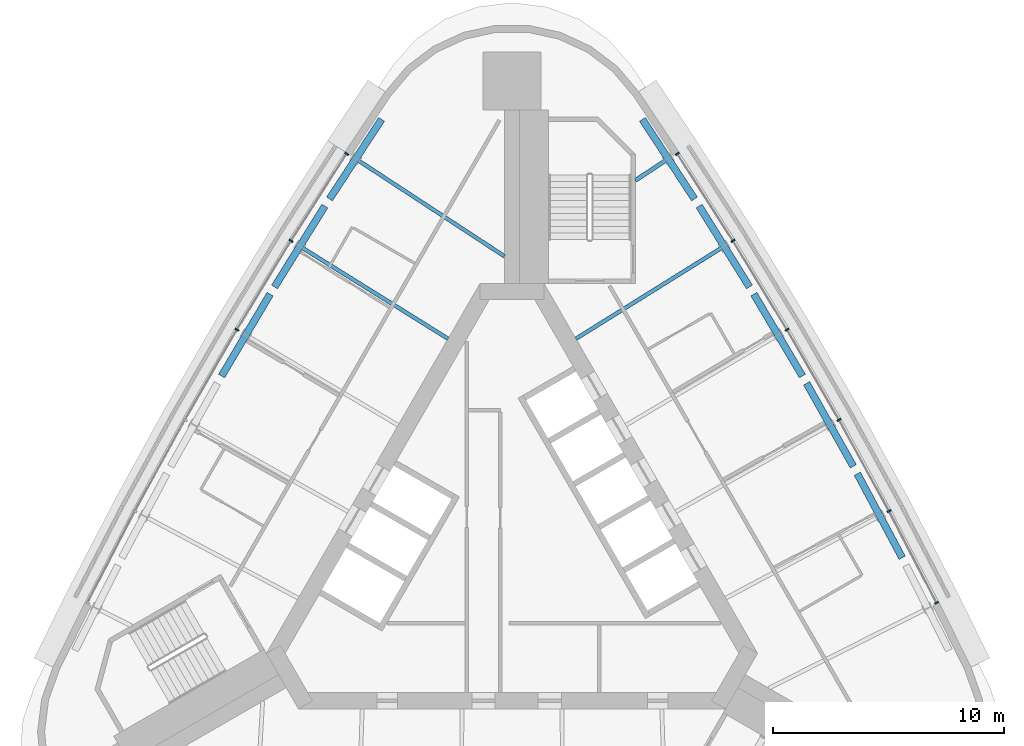
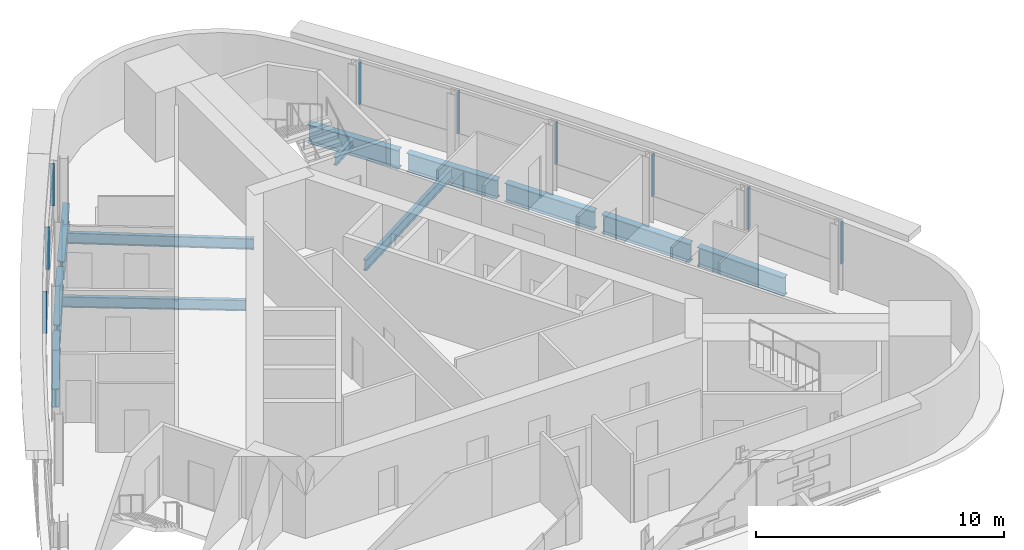
# One storey, part 4 of 9: 12 beams, 9 members, 2 elements without a shape of their own.
"""IFC4 building model written with IfcOpenShell, lengths in metres."""

from ifc_helpers import new_model, si_unit, direction, frame, origin, origin_2d, place, context, subcontext, project, spatial, rectangle, i_section, extrude, material, material_profile, profile_set, type_object, element, aggregate, save


model = new_model("IFC4")

# Units and contexts
model_context = context("Model", 3, precision=1e-05, world=origin(), true_north=direction((0.0, 1.0)))
body_context = subcontext(model_context, "Body", "Model", "MODEL_VIEW")
ifc_project = project(units=[si_unit("LENGTHUNIT", "METRE"), si_unit("AREAUNIT", "SQUARE_METRE"), si_unit("VOLUMEUNIT", "CUBIC_METRE"), si_unit("PLANEANGLEUNIT", "RADIAN"), si_unit("MASSUNIT", "GRAM", prefix="KILO")], contexts=[model_context])

# Site, building, storey
site_placement = place(None, origin())
site = spatial("IfcSite", under=ifc_project, at=site_placement, CompositionType="ELEMENT")
building_placement = place(site_placement, origin())
building = spatial("IfcBuilding", under=site, at=building_placement, Name="Noor Cloister Tower", CompositionType="ELEMENT")
storey_placement = place(building_placement, frame((0.0, 0.0, 229.199951171875)))
storey = spatial("IfcBuildingStorey", under=building, at=storey_placement, Name="L59", CompositionType="ELEMENT", Elevation=229.199951171875)

# Curtain wall, members
ifc_material_1 = material(Name="Aluminium 6063-T6 anodised", Category="aluminium")
curtain_wall_type = type_object("IfcCurtainWallType", Name="Ribbon curtain wall, upper tower CW5", PredefinedType="NOTDEFINED", material=ifc_material_1)
curtain_wall_1_placement = place(storey_placement, origin())
curtain_wall_1 = element("IfcCurtainWall", 1, at=curtain_wall_1_placement, inside=storey, type_object=curtain_wall_type, Name="CW5 L59 NW run 1", PredefinedType="NOTDEFINED")
ifc_material_2 = material(Name="Aluminium 6063-T6 anodised", Category="aluminium")
ifc_material_profile_1 = material_profile(ifc_material_2, rectangle(XDim=0.179931640625, YDim=0.070068359375, at=origin_2d()), Name="180 x 70 mullion")
ifc_profile_set_1 = profile_set([ifc_material_profile_1], Name="Aluminium 6063-T6 anodised")
member_type = type_object("IfcMemberType", Name="Mullion CW5 70 x 180", PredefinedType="MULLION", material=ifc_profile_set_1)
member_1_placement = place(storey_placement, frame((-7.147216796875, 17.064208984375, 1.10009765625), z_axis=(0.0, 0.0, 1.0), x_axis=(0.842494145237, -0.538705499547, 0.0)))
member_1 = element("IfcMember", 2, at=member_1_placement, type_object=member_type, Name="CW5 mullion 1", PredefinedType="MULLION", context=body_context, shape_type="SweptSolid", body=[
    extrude(rectangle(XDim=0.179931640625, YDim=0.070068359375, at=origin_2d()), origin(), (0.0, 0.0, 1.0), 2.050048828125),
])
member_2_placement = place(storey_placement, frame((-9.5517578125, 13.303466796875, 1.10009765625), z_axis=(0.0, 0.0, 1.0), x_axis=(0.848540969148, -0.529129685121, 0.0)))
member_2 = element("IfcMember", 3, at=member_2_placement, type_object=member_type, Name="CW5 mullion 2", PredefinedType="MULLION", context=body_context, shape_type="SweptSolid", body=[
    extrude(rectangle(XDim=0.179931640625, YDim=0.070068359375, at=origin_2d()), origin(), (0.0, 0.0, 1.0), 2.050048828125),
])
member_3_placement = place(storey_placement, frame((-11.88818359375, 9.46044921875, 1.10009765625), z_axis=(0.0, 0.0, 1.0), x_axis=(0.860307353002, -0.509775694174, 0.0)))
member_3 = element("IfcMember", 4, at=member_3_placement, type_object=member_type, Name="CW5 mullion 3", PredefinedType="MULLION", context=body_context, shape_type="SweptSolid", body=[
    extrude(rectangle(XDim=0.179931640625, YDim=0.070068359375, at=origin_2d()), origin(), (0.0, 0.0, 1.0), 2.050048828125),
])
aggregate(curtain_wall_1, [member_1, member_2, member_3])

curtain_wall_2_placement = place(storey_placement, origin())
curtain_wall_2 = element("IfcCurtainWall", 5, at=curtain_wall_2_placement, inside=storey, type_object=curtain_wall_type, Name="CW5 L59 NE run 3", PredefinedType="NOTDEFINED")
member_4_placement = place(storey_placement, frame((18.3515625, -2.342529296875, 1.10009765625), z_axis=(0.0, 0.0, 1.0), x_axis=(-0.887779720384, -0.460268582541, 0.0)))
member_4 = element("IfcMember", 6, at=member_4_placement, type_object=member_type, Name="CW5 mullion 1", PredefinedType="MULLION", context=body_context, shape_type="SweptSolid", body=[
    extrude(rectangle(XDim=0.179931640625, YDim=0.070068359375, at=origin_2d()), origin(), (0.0, 0.0, 1.0), 2.050048828125),
])
member_5_placement = place(storey_placement, frame((16.297119140625, 1.620361328125, 1.10009765625), z_axis=(0.0, 0.0, 1.0), x_axis=(-0.882510233786, -0.470293192874, 0.0)))
member_5 = element("IfcMember", 7, at=member_5_placement, type_object=member_type, Name="CW5 mullion 2", PredefinedType="MULLION", context=body_context, shape_type="SweptSolid", body=[
    extrude(rectangle(XDim=0.179931640625, YDim=0.070068359375, at=origin_2d()), origin(), (0.0, 0.0, 1.0), 2.050048828125),
])
member_6_placement = place(storey_placement, frame((14.13720703125, 5.5654296875, 1.10009765625), z_axis=(0.0, 0.0, 1.0), x_axis=(-0.871632377887, -0.490160175676, 0.0)))
member_6 = element("IfcMember", 8, at=member_6_placement, type_object=member_type, Name="CW5 mullion 3", PredefinedType="MULLION", context=body_context, shape_type="SweptSolid", body=[
    extrude(rectangle(XDim=0.179931640625, YDim=0.070068359375, at=origin_2d()), origin(), (0.0, 0.0, 1.0), 2.050048828125),
])
member_7_placement = place(storey_placement, frame((11.88818359375, 9.46044921875, 1.10009765625), z_axis=(0.0, 0.0, 1.0), x_axis=(-0.860307353002, -0.509775694174, 0.0)))
member_7 = element("IfcMember", 9, at=member_7_placement, type_object=member_type, Name="CW5 mullion 4", PredefinedType="MULLION", context=body_context, shape_type="SweptSolid", body=[
    extrude(rectangle(XDim=0.179931640625, YDim=0.070068359375, at=origin_2d()), origin(), (0.0, 0.0, 1.0), 2.050048828125),
])
member_8_placement = place(storey_placement, frame((9.5517578125, 13.303466796875, 1.10009765625), z_axis=(0.0, 0.0, 1.0), x_axis=(-0.848540969148, -0.529129685121, 0.0)))
member_8 = element("IfcMember", 10, at=member_8_placement, type_object=member_type, Name="CW5 mullion 5", PredefinedType="MULLION", context=body_context, shape_type="SweptSolid", body=[
    extrude(rectangle(XDim=0.179931640625, YDim=0.070068359375, at=origin_2d()), origin(), (0.0, 0.0, 1.0), 2.050048828125),
])
member_9_placement = place(storey_placement, frame((7.147216796875, 17.064208984375, 1.10009765625), z_axis=(0.0, 0.0, 1.0), x_axis=(-0.842494145237, -0.538705499547, 0.0)))
member_9 = element("IfcMember", 11, at=member_9_placement, type_object=member_type, Name="CW5 mullion 6", PredefinedType="MULLION", context=body_context, shape_type="SweptSolid", body=[
    extrude(rectangle(XDim=0.179931640625, YDim=0.070068359375, at=origin_2d()), origin(), (0.0, 0.0, 1.0), 2.050048828125),
])
aggregate(curtain_wall_2, [member_4, member_5, member_6, member_7, member_8, member_9])

# Beams
ifc_material_3 = material(Name="Steel ASTM A992 Gr 50", Category="steel")
ifc_material_profile_2 = material_profile(ifc_material_3, i_section(OverallWidth=0.177978515625, OverallDepth=0.406005859375, WebThickness=0.0078125, FlangeThickness=0.0126953125, FilletRadius=0.01025390625, at=origin_2d()), Name="W410x60")
ifc_profile_set_2 = profile_set([ifc_material_profile_2], Name="Steel ASTM A992 Gr 50")
beam_type_1 = type_object("IfcBeamType", Name="Radial beam W410x60", PredefinedType="BEAM", material=ifc_profile_set_2)
beam_1_placement = place(storey_placement, frame((6.625, 16.762451171875, -0.40283203125), z_axis=(-0.836313408202, -0.548251660518, 0.0), x_axis=(0.548251660518, -0.836313408202, 0.0)))
element("IfcBeam", 12, at=beam_1_placement, inside=storey, type_object=beam_type_1, Name="Radial beam NE 06 L59", PredefinedType="BEAM", context=body_context, shape_type="SweptSolid", body=[
    extrude(i_section(OverallWidth=0.177978515625, OverallDepth=0.406005859375, WebThickness=0.0078125, FlangeThickness=0.0126953125, FilletRadius=0.01025390625, at=origin_2d()), origin(), (0.0, 0.0, 1.0), 1.541748046875),
])
ifc_material_4 = material(Name="Steel ASTM A992 Gr 50", Category="steel")
ifc_material_profile_3 = material_profile(ifc_material_4, i_section(OverallWidth=0.166015625, OverallDepth=0.528076171875, WebThickness=0.009765625, FlangeThickness=0.013671875, FilletRadius=0.0126953125, at=origin_2d()), Name="W530x74")
ifc_profile_set_3 = profile_set([ifc_material_profile_3], Name="Steel ASTM A992 Gr 50")
beam_type_2 = type_object("IfcBeamType", Name="Radial beam W530x74", PredefinedType="BEAM", material=ifc_profile_set_3)
beam_2_placement = place(storey_placement, frame((-6.625, 16.762451171875, -0.4638671875), z_axis=(0.836338155728, -0.548213908318, 0.0), x_axis=(0.548213908318, 0.836338155728, 0.0)))
element("IfcBeam", 13, at=beam_2_placement, inside=storey, type_object=beam_type_2, Name="Radial beam NW 01 L59", PredefinedType="BEAM", context=body_context, shape_type="SweptSolid", body=[
    extrude(i_section(OverallWidth=0.166015625, OverallDepth=0.528076171875, WebThickness=0.009765625, FlangeThickness=0.013671875, FilletRadius=0.0126953125, at=origin_2d()), origin(), (0.0, 0.0, 1.0), 7.532958984375),
])
for number, where, z_axis, x_axis, name in (
    (14, (-9.04052734375, 12.98486328125, -0.4638671875), (0.848531828783, -0.529144342824, 0.0), (0.529144342824, 0.848531828783, 0.0), "Radial beam NW 02 L59"),
    (15, (9.04052734375, 12.98486328125, -0.4638671875), (-0.848531828783, -0.529144342824, 0.0), (0.529144342824, -0.848531828783, 0.0), "Radial beam NE 05 L59"),
):
    element("IfcBeam", number, at=place(storey_placement, frame(where, z_axis=z_axis, x_axis=x_axis)), inside=storey, type_object=beam_type_2, Name=name, PredefinedType="BEAM", context=body_context, shape_type="SweptSolid", body=[
        extrude(i_section(OverallWidth=0.166015625, OverallDepth=0.528076171875, WebThickness=0.009765625, FlangeThickness=0.013671875, FilletRadius=0.0126953125, at=origin_2d()), origin(), (0.0, 0.0, 1.0), 7.39794921875),
    ])
ifc_material_5 = material(Name="Steel ASTM A992 Gr 50", Category="steel")
ifc_material_profile_4 = material_profile(ifc_material_5, i_section(OverallWidth=0.304931640625, OverallDepth=0.9189453125, WebThickness=0.017333984375, FlangeThickness=0.02783203125, FilletRadius=0.01904296875, at=origin_2d()), Name="W920x253")
ifc_profile_set_4 = profile_set([ifc_material_profile_4], Name="Steel ASTM A992 Gr 50")
beam_type_3 = type_object("IfcBeamType", Name="Transfer girder W920x253", PredefinedType="BEAM", material=ifc_profile_set_4)
beam_3_placement = place(storey_placement, frame((-5.63720703125, 18.552490234375, -0.659423828125), z_axis=(-0.547147051988, -0.837036500698, 0.0), x_axis=(0.837036500698, -0.547147051988, 0.0)))
element("IfcBeam", 16, at=beam_3_placement, inside=storey, type_object=beam_type_3, Name="Transfer girder NW 01 L59", PredefinedType="BEAM", context=body_context, shape_type="SweptSolid", body=[
    extrude(i_section(OverallWidth=0.304931640625, OverallDepth=0.9189453125, WebThickness=0.017333984375, FlangeThickness=0.02783203125, FilletRadius=0.01904296875, at=origin_2d()), origin(), (0.0, 0.0, 1.0), 4.114990234375),
])
for number, where, z_axis, x_axis, name in (
    (17, (-8.088623046875, 14.802490234375, -0.659423828125), (-0.528483423798, -0.84894362049, 0.0), (0.84894362049, -0.528483423798, 0.0), "Transfer girder NW 02 L59"),
    (18, (-10.454833984375, 10.998046875, -0.659423828125), (-0.509548653359, -0.860441845716, 0.0), (0.860441845716, -0.509548653359, 0.0), "Transfer girder NW 03 L59"),
    (19, (16.86376953125, -0.396240234375, -0.659423828125), (-0.470976207759, 0.882145912945, 0.0), (-0.882145912945, -0.470976207759, 0.0), "Transfer girder NE 02 L59"),
):
    element("IfcBeam", number, at=place(storey_placement, frame(where, z_axis=z_axis, x_axis=x_axis)), inside=storey, type_object=beam_type_3, Name=name, PredefinedType="BEAM", context=body_context, shape_type="SweptSolid", body=[
        extrude(i_section(OverallWidth=0.304931640625, OverallDepth=0.9189453125, WebThickness=0.017333984375, FlangeThickness=0.02783203125, FilletRadius=0.01904296875, at=origin_2d()), origin(), (0.0, 0.0, 1.0), 4.11474609375),
    ])
beam_4_placement = place(storey_placement, frame((14.751953125, 3.554931640625, -0.659423828125), z_axis=(-0.490371095004, 0.871513734364, 0.0), x_axis=(-0.871513734364, -0.490371095004, 0.0)))
element("IfcBeam", 20, at=beam_4_placement, inside=storey, type_object=beam_type_3, Name="Transfer girder NE 03 L59", PredefinedType="BEAM", context=body_context, shape_type="SweptSolid", body=[
    extrude(i_section(OverallWidth=0.304931640625, OverallDepth=0.9189453125, WebThickness=0.017333984375, FlangeThickness=0.02783203125, FilletRadius=0.01904296875, at=origin_2d()), origin(), (0.0, 0.0, 1.0), 4.114990234375),
])
for number, where, z_axis, x_axis, name in (
    (21, (12.551513671875, 7.45751953125, -0.659423828125), (-0.509548653359, 0.860441845716, 0.0), (-0.860441845716, -0.509548653359, 0.0), "Transfer girder NE 04 L59"),
    (22, (10.26318359375, 11.309326171875, -0.659423828125), (-0.528483423798, 0.84894362049, 0.0), (-0.84894362049, -0.528483423798, 0.0), "Transfer girder NE 05 L59"),
):
    element("IfcBeam", number, at=place(storey_placement, frame(where, z_axis=z_axis, x_axis=x_axis)), inside=storey, type_object=beam_type_3, Name=name, PredefinedType="BEAM", context=body_context, shape_type="SweptSolid", body=[
        extrude(i_section(OverallWidth=0.304931640625, OverallDepth=0.9189453125, WebThickness=0.017333984375, FlangeThickness=0.02783203125, FilletRadius=0.01904296875, at=origin_2d()), origin(), (0.0, 0.0, 1.0), 4.11474609375),
    ])
beam_5_placement = place(storey_placement, frame((7.888671875, 15.108154296875, -0.659423828125), z_axis=(-0.547147051988, 0.837036500698, 0.0), x_axis=(-0.837036500698, -0.547147051988, 0.0)))
element("IfcBeam", 23, at=beam_5_placement, inside=storey, type_object=beam_type_3, Name="Transfer girder NE 06 L59", PredefinedType="BEAM", context=body_context, shape_type="SweptSolid", body=[
    extrude(i_section(OverallWidth=0.304931640625, OverallDepth=0.9189453125, WebThickness=0.017333984375, FlangeThickness=0.02783203125, FilletRadius=0.01904296875, at=origin_2d()), origin(), (0.0, 0.0, 1.0), 4.114990234375),
])

save(model, "model.ifc")
